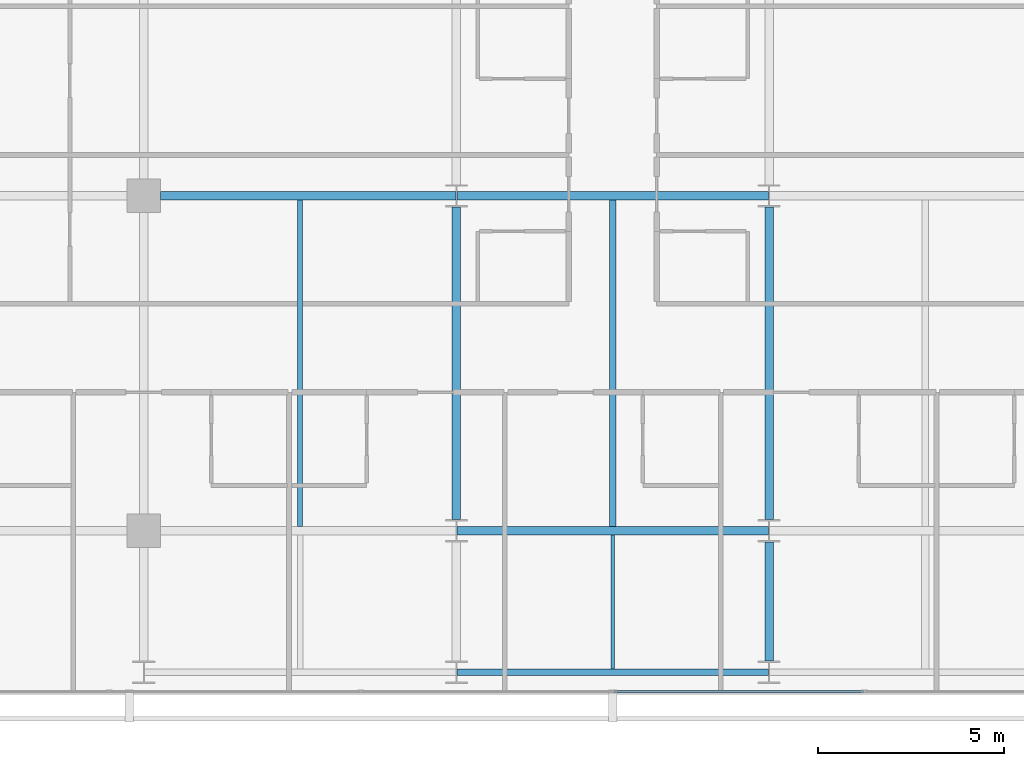
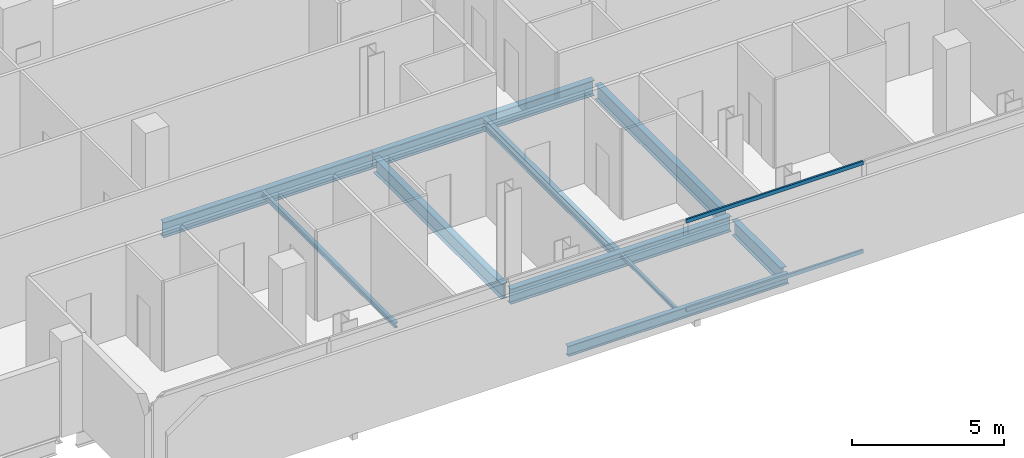
# One storey, part 7 of 34: 10 beams, 2 members, 1 element without a shape of its own.
"""IFC4 building model written with IfcOpenShell, lengths in metres."""

from ifc_helpers import new_model, si_unit, direction, frame, origin, origin_2d, place, context, subcontext, project, spatial, hollow_rectangle, i_section, extrude, material, layer, layer_set, material_profile, profile_set, type_object, element, aggregate, save


model = new_model("IFC4")

# Units and contexts
model_context = context("Model", 3, precision=1e-05, world=origin(), true_north=direction((0.0, 1.0)))
body_context = subcontext(model_context, "Body", "Model", "MODEL_VIEW")
ifc_project = project(units=[si_unit("LENGTHUNIT", "METRE"), si_unit("AREAUNIT", "SQUARE_METRE"), si_unit("VOLUMEUNIT", "CUBIC_METRE"), si_unit("PLANEANGLEUNIT", "RADIAN"), si_unit("MASSUNIT", "GRAM", prefix="KILO")], contexts=[model_context])

# Site, building, storey
site_placement = place(None, origin())
site = spatial("IfcSite", under=ifc_project, at=site_placement, CompositionType="ELEMENT")
building_placement = place(site_placement, origin())
building = spatial("IfcBuilding", under=site, at=building_placement, Name="Maruvema Waterfront Hotel and Observation Tower", CompositionType="ELEMENT")
storey_placement = place(building_placement, frame((0.0, 0.0, 135.10009765625)))
storey = spatial("IfcBuildingStorey", under=building, at=storey_placement, Name="L32", CompositionType="ELEMENT", Elevation=135.10009765625)

# Curtain wall, members
ifc_material_1 = material(Name="Anodised bronze aluminium and solar-control low-E IGU", Category="aluminium")
ifc_layer = layer(ifc_material_1, 0.159912109375, Name="Zone 2 Amber Inner Thermal Curtain Wall System CW-03")
ifc_layer_set = layer_set([ifc_layer], Name="Anodised bronze aluminium and solar-control low-E IGU")
curtain_wall_type = type_object("IfcCurtainWallType", Name="Zone 2 Amber Inner Thermal Curtain Wall System CW-03", PredefinedType="USERDEFINED", material=ifc_layer_set)
curtain_wall_placement = place(storey_placement, origin())
curtain_wall = element("IfcCurtainWall", 1, at=curtain_wall_placement, inside=storey, type_object=curtain_wall_type, Name="L32 Curtain Wall CW-L32-S", ObjectType="UNITISED CURTAIN WALL", PredefinedType="USERDEFINED")
ifc_material_2 = material(Name="Anodised architectural bronze aluminium", Category="aluminium")
ifc_material_profile_1 = material_profile(ifc_material_2, hollow_rectangle(XDim=0.070068359375, YDim=0.14990234375, WallThickness=0.00390625, at=origin_2d()), Name="ALU-T70x150")
ifc_profile_set_1 = profile_set([ifc_material_profile_1], Name="Anodised architectural bronze aluminium")
member_type = type_object("IfcMemberType", Name="Curtain Wall Horizontal Transom ALU-T70x150", PredefinedType="USERDEFINED", material=ifc_profile_set_1)
member_1_placement = place(storey_placement, frame((37.830078125, 4.679931640625, 0.02978515625), z_axis=(1.0, 0.0, 0.0), x_axis=(0.0, 1.0, 0.0)))
member_1 = element("IfcMember", 2, at=member_1_placement, type_object=member_type, Name="CW-03 transom 4.1", ObjectType="TRANSOM", PredefinedType="USERDEFINED", context=body_context, shape_type="SweptSolid", body=[
    extrude(hollow_rectangle(XDim=0.070068359375, YDim=0.14990234375, WallThickness=0.00390625, at=origin_2d()), origin(), (0.0, 0.0, 1.0), 6.70654296875),
])
member_2_placement = place(storey_placement, frame((37.830078125, 4.679931640625, 3.579833984375), z_axis=(1.0, 0.0, 0.0), x_axis=(0.0, 1.0, 0.0)))
member_2 = element("IfcMember", 3, at=member_2_placement, type_object=member_type, Name="CW-03 transom 4.2", ObjectType="TRANSOM", PredefinedType="USERDEFINED", context=body_context, shape_type="SweptSolid", body=[
    extrude(hollow_rectangle(XDim=0.070068359375, YDim=0.14990234375, WallThickness=0.00390625, at=origin_2d()), origin(), (0.0, 0.0, 1.0), 6.70654296875),
])
aggregate(curtain_wall, [member_1, member_2])

# Beams
ifc_material_3 = material(Name="Steel ASTM A572 Grade 50", Category="steel")
ifc_material_profile_2 = material_profile(ifc_material_3, i_section(OverallWidth=0.180908203125, OverallDepth=0.4169921875, WebThickness=0.010986328125, FlangeThickness=0.018310546875, FilletRadius=0.014892578125, at=origin_2d()), Name="W410x85.0")
ifc_profile_set_2 = profile_set([ifc_material_profile_2], Name="Steel ASTM A572 Grade 50")
beam_type_1 = type_object("IfcBeamType", Name="Perimeter Spandrel Beam W410x85.0", PredefinedType="SPANDREL", material=ifc_profile_set_2)
beam_1_placement = place(storey_placement, frame((33.612548828125, 5.199951171875, -0.448486328125), z_axis=(1.0, 0.0, 0.0), x_axis=(0.0, 1.0, 0.0)))
element("IfcBeam", 4, at=beam_1_placement, inside=storey, type_object=beam_type_1, Name="L32 Floor Girder EW-02", PredefinedType="SPANDREL", context=body_context, shape_type="SweptSolid", body=[
    extrude(i_section(OverallWidth=0.180908203125, OverallDepth=0.4169921875, WebThickness=0.010986328125, FlangeThickness=0.018310546875, FilletRadius=0.014892578125, at=origin_2d()), origin(), (0.0, 0.0, 1.0), 8.375),
])
ifc_material_4 = material(Name="Steel ASTM A572 Grade 50", Category="steel")
ifc_material_profile_3 = material_profile(ifc_material_4, i_section(OverallWidth=0.22900390625, OverallDepth=0.612060546875, WebThickness=0.011962890625, FlangeThickness=0.01953125, FilletRadius=0.01806640625, at=origin_2d()), Name="W610x125.0")
ifc_profile_set_3 = profile_set([ifc_material_profile_3], Name="Steel ASTM A572 Grade 50")
beam_type_2 = type_object("IfcBeamType", Name="Primary Floor Girder W610x125.0", PredefinedType="BEAM", material=ifc_profile_set_3)
beam_2_placement = place(storey_placement, frame((33.612548828125, 9.0, -0.546142578125), z_axis=(1.0, 0.0, 0.0), x_axis=(0.0, 1.0, 0.0)))
element("IfcBeam", 5, at=beam_2_placement, inside=storey, type_object=beam_type_2, Name="L32 Floor Girder EW-07", PredefinedType="BEAM", context=body_context, shape_type="SweptSolid", body=[
    extrude(i_section(OverallWidth=0.22900390625, OverallDepth=0.612060546875, WebThickness=0.011962890625, FlangeThickness=0.01953125, FilletRadius=0.01806640625, at=origin_2d()), origin(), (0.0, 0.0, 1.0), 8.375),
])
beam_3_placement = place(storey_placement, frame((25.64990234375, 18.0, -0.546142578125), z_axis=(1.0, 0.0, 0.0), x_axis=(0.0, 1.0, 0.0)))
element("IfcBeam", 6, at=beam_3_placement, inside=storey, type_object=beam_type_2, Name="L32 Floor Girder EW-13", PredefinedType="BEAM", context=body_context, shape_type="SweptSolid", body=[
    extrude(i_section(OverallWidth=0.22900390625, OverallDepth=0.612060546875, WebThickness=0.011962890625, FlangeThickness=0.01953125, FilletRadius=0.01806640625, at=origin_2d()), origin(), (0.0, 0.0, 1.0), 7.9375),
])
beam_4_placement = place(storey_placement, frame((33.612548828125, 18.0, -0.546142578125), z_axis=(1.0, 0.0, 0.0), x_axis=(0.0, 1.0, 0.0)))
element("IfcBeam", 7, at=beam_4_placement, inside=storey, type_object=beam_type_2, Name="L32 Floor Girder EW-14", PredefinedType="BEAM", context=body_context, shape_type="SweptSolid", body=[
    extrude(i_section(OverallWidth=0.22900390625, OverallDepth=0.612060546875, WebThickness=0.011962890625, FlangeThickness=0.01953125, FilletRadius=0.01806640625, at=origin_2d()), origin(), (0.0, 0.0, 1.0), 8.375),
])
beam_5_placement = place(storey_placement, frame((33.60009765625, 9.300048828125, -0.546142578125), z_axis=(0.0, 1.0, 0.0), x_axis=(-1.0, 0.0, 0.0)))
element("IfcBeam", 8, at=beam_5_placement, inside=storey, type_object=beam_type_2, Name="L32 Floor Girder NS-15", PredefinedType="BEAM", context=body_context, shape_type="SweptSolid", body=[
    extrude(i_section(OverallWidth=0.22900390625, OverallDepth=0.612060546875, WebThickness=0.011962890625, FlangeThickness=0.01953125, FilletRadius=0.01806640625, at=origin_2d()), origin(), (0.0, 0.0, 1.0), 8.39990234375),
])
beam_6_placement = place(storey_placement, frame((42.0, 5.5, -0.546142578125), z_axis=(0.0, 1.0, 0.0), x_axis=(-1.0, 0.0, 0.0)))
element("IfcBeam", 9, at=beam_6_placement, inside=storey, type_object=beam_type_2, Name="L32 Floor Girder NS-17", PredefinedType="BEAM", context=body_context, shape_type="SweptSolid", body=[
    extrude(i_section(OverallWidth=0.22900390625, OverallDepth=0.612060546875, WebThickness=0.011962890625, FlangeThickness=0.01953125, FilletRadius=0.01806640625, at=origin_2d()), origin(), (0.0, 0.0, 1.0), 3.199951171875),
])
beam_7_placement = place(storey_placement, frame((42.0, 9.300048828125, -0.546142578125), z_axis=(0.0, 1.0, 0.0), x_axis=(-1.0, 0.0, 0.0)))
element("IfcBeam", 10, at=beam_7_placement, inside=storey, type_object=beam_type_2, Name="L32 Floor Girder NS-18", PredefinedType="BEAM", context=body_context, shape_type="SweptSolid", body=[
    extrude(i_section(OverallWidth=0.22900390625, OverallDepth=0.612060546875, WebThickness=0.011962890625, FlangeThickness=0.01953125, FilletRadius=0.01806640625, at=origin_2d()), origin(), (0.0, 0.0, 1.0), 8.39990234375),
])
ifc_material_5 = material(Name="Steel ASTM A572 Grade 50", Category="steel")
ifc_material_profile_4 = material_profile(ifc_material_5, i_section(OverallWidth=0.10009765625, OverallDepth=0.153076171875, WebThickness=0.005859375, FlangeThickness=0.007080078125, FilletRadius=0.008056640625, at=origin_2d()), Name="W150x18.0")
ifc_profile_set_4 = profile_set([ifc_material_profile_4], Name="Steel ASTM A572 Grade 50")
beam_type_3 = type_object("IfcBeamType", Name="Secondary Floor Joist W150x18.0", PredefinedType="JOIST", material=ifc_profile_set_4)
beam_8_placement = place(storey_placement, frame((37.800048828125, 5.29052734375, -0.316650390625), z_axis=(0.0, 1.0, 0.0), x_axis=(-1.0, 0.0, 0.0)))
element("IfcBeam", 11, at=beam_8_placement, inside=storey, type_object=beam_type_3, Name="L32 Secondary Floor Joist JS-07", PredefinedType="JOIST", context=body_context, shape_type="SweptSolid", body=[
    extrude(i_section(OverallWidth=0.10009765625, OverallDepth=0.153076171875, WebThickness=0.005859375, FlangeThickness=0.007080078125, FilletRadius=0.008056640625, at=origin_2d()), origin(), (0.0, 0.0, 1.0), 3.594970703125),
])
ifc_material_6 = material(Name="Steel ASTM A572 Grade 50", Category="steel")
ifc_material_profile_5 = material_profile(ifc_material_6, i_section(OverallWidth=0.133056640625, OverallDepth=0.20703125, WebThickness=0.005859375, FlangeThickness=0.00830078125, FilletRadius=0.010009765625, at=origin_2d()), Name="W200x26.6")
ifc_profile_set_5 = profile_set([ifc_material_profile_5], Name="Steel ASTM A572 Grade 50")
beam_type_4 = type_object("IfcBeamType", Name="Secondary Floor Joist W200x26.6", PredefinedType="JOIST", material=ifc_profile_set_5)
beam_9_placement = place(storey_placement, frame((29.39990234375, 9.114501953125, -0.343505859375), z_axis=(0.0, 1.0, 0.0), x_axis=(-1.0, 0.0, 0.0)))
element("IfcBeam", 12, at=beam_9_placement, inside=storey, type_object=beam_type_4, Name="L32 Secondary Floor Joist JS-06", PredefinedType="JOIST", context=body_context, shape_type="SweptSolid", body=[
    extrude(i_section(OverallWidth=0.133056640625, OverallDepth=0.20703125, WebThickness=0.005859375, FlangeThickness=0.00830078125, FilletRadius=0.010009765625, at=origin_2d()), origin(), (0.0, 0.0, 1.0), 8.77099609375),
])
ifc_material_7 = material(Name="Steel ASTM A572 Grade 50", Category="steel")
ifc_material_profile_6 = material_profile(ifc_material_7, i_section(OverallWidth=0.177001953125, OverallDepth=0.403076171875, WebThickness=0.007568359375, FlangeThickness=0.010986328125, FilletRadius=0.014892578125, at=origin_2d()), Name="W410x53.0")
ifc_profile_set_6 = profile_set([ifc_material_profile_6], Name="Steel ASTM A572 Grade 50")
beam_type_5 = type_object("IfcBeamType", Name="Secondary Floor Joist W410x53.0", PredefinedType="JOIST", material=ifc_profile_set_6)
beam_10_placement = place(storey_placement, frame((37.800048828125, 9.114501953125, -0.441650390625), z_axis=(0.0, 1.0, 0.0), x_axis=(-1.0, 0.0, 0.0)))
element("IfcBeam", 13, at=beam_10_placement, inside=storey, type_object=beam_type_5, Name="L32 Secondary Floor Joist JS-08", PredefinedType="JOIST", context=body_context, shape_type="SweptSolid", body=[
    extrude(i_section(OverallWidth=0.177001953125, OverallDepth=0.403076171875, WebThickness=0.007568359375, FlangeThickness=0.010986328125, FilletRadius=0.014892578125, at=origin_2d()), origin(), (0.0, 0.0, 1.0), 8.77099609375),
])

save(model, "model.ifc")
